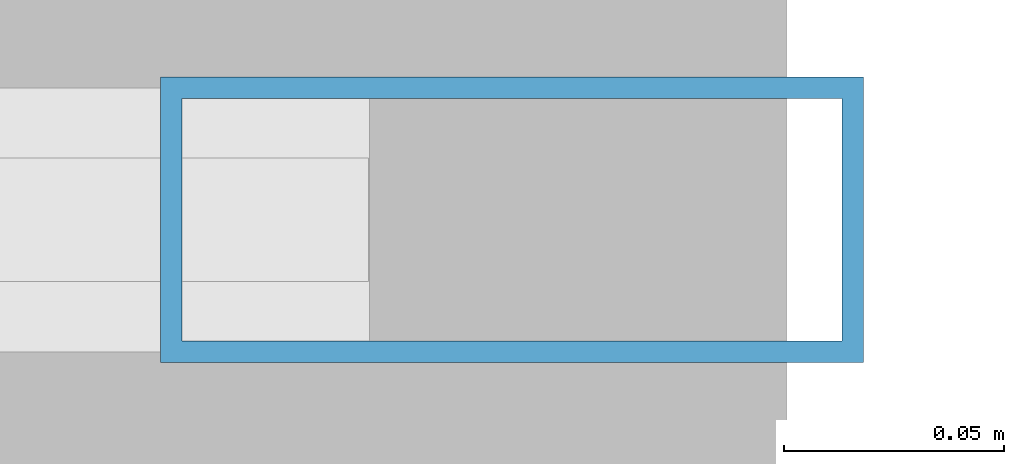
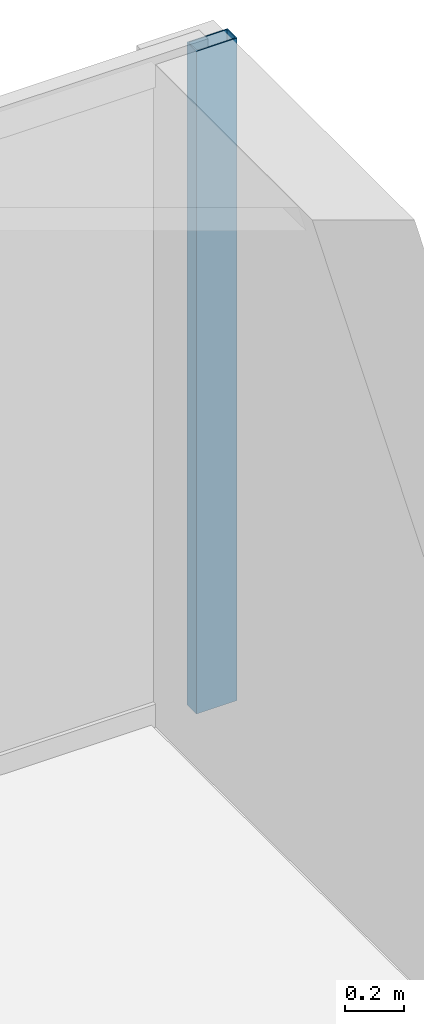
# One storey, part 26 of 36: 1 member, 1 element without a shape of its own.
"""IFC4 building model written with IfcOpenShell, lengths in metres."""

from ifc_helpers import new_model, si_unit, direction, frame, origin, origin_2d, place, context, subcontext, project, spatial, hollow_rectangle, extrude, source, transform, mapped, material, layer, layer_set, material_profile, profile_set, type_object, element, aggregate, save


model = new_model("IFC4")

# Units and contexts
model_context = context("Model", 3, precision=1e-05, world=origin(), true_north=direction((0.0, 1.0)))
body_context = subcontext(model_context, "Body", "Model", "MODEL_VIEW")
ifc_project = project(units=[si_unit("LENGTHUNIT", "METRE"), si_unit("AREAUNIT", "SQUARE_METRE"), si_unit("VOLUMEUNIT", "CUBIC_METRE"), si_unit("PLANEANGLEUNIT", "RADIAN"), si_unit("MASSUNIT", "GRAM", prefix="KILO")], contexts=[model_context])

# Site, building, storey
site_placement = place(None, origin())
site = spatial("IfcSite", under=ifc_project, at=site_placement, CompositionType="ELEMENT")
building_placement = place(site_placement, origin())
building = spatial("IfcBuilding", under=site, at=building_placement, Name="Sumidabori Civic Tower", CompositionType="ELEMENT")
storey_placement = place(building_placement, frame((0.0, 0.0, 92.0)))
storey = spatial("IfcBuildingStorey", under=building, at=storey_placement, Name="L23", CompositionType="ELEMENT", Elevation=92.0)

# Curtain wall, member
ifc_material = material(Name="Anodised Bronze Aluminium AW-6063-T6", Category="aluminium")
ifc_layer = layer(ifc_material, 0.179931640625, Name="Anodised Bronze Aluminium AW-6063-T6")
ifc_layer_set = layer_set([ifc_layer], Name="Anodised Bronze Aluminium AW-6063-T6")
curtain_wall_type = type_object("IfcCurtainWallType", Name="CW-SYS-3", PredefinedType="NOTDEFINED", material=ifc_layer_set)
curtain_wall_placement = place(storey_placement, origin())
curtain_wall = element("IfcCurtainWall", 1, at=curtain_wall_placement, inside=storey, type_object=curtain_wall_type, Name="Curtain Wall CW:L23:R07", PredefinedType="NOTDEFINED")
ifc_material_profile = material_profile(ifc_material, hollow_rectangle(XDim=0.06494140625, YDim=0.159912109375, WallThickness=0.0048828125, at=origin_2d()), Name="ALU MULLION 160x65")
ifc_profile_set = profile_set([ifc_material_profile], Name="Anodised Bronze Aluminium AW-6063-T6")
member_type = type_object("IfcMemberType", Name="CW-MUL-160", PredefinedType="MULLION", material=ifc_profile_set)
shared_shape = source(origin(), body_context, "Body", "SweptSolid", [
    extrude(hollow_rectangle(XDim=0.06494140625, YDim=0.159912109375, WallThickness=0.0048828125, at=origin_2d()), origin(), (0.0, 0.0, 1.0), 2.739990234375),
])
member_placement = place(storey_placement, frame((20.1875, 25.280029296875, 0.0), z_axis=(0.0, 0.0, 1.0), x_axis=(0.0, -1.0, 0.0)))
member = element("IfcMember", 2, at=member_placement, type_object=member_type, Name="CW-3 mullion 1", PredefinedType="MULLION", context=body_context, shape_type="MappedRepresentation", body=[
    mapped(shared_shape, transform((0.0, 0.0, 0.0), x_axis=(1.0, 0.0, 0.0), y_axis=(0.0, 1.0, 0.0), z_axis=(0.0, 0.0, 1.0), scale=1.0)),
])
aggregate(curtain_wall, [member])

save(model, "model.ifc")
